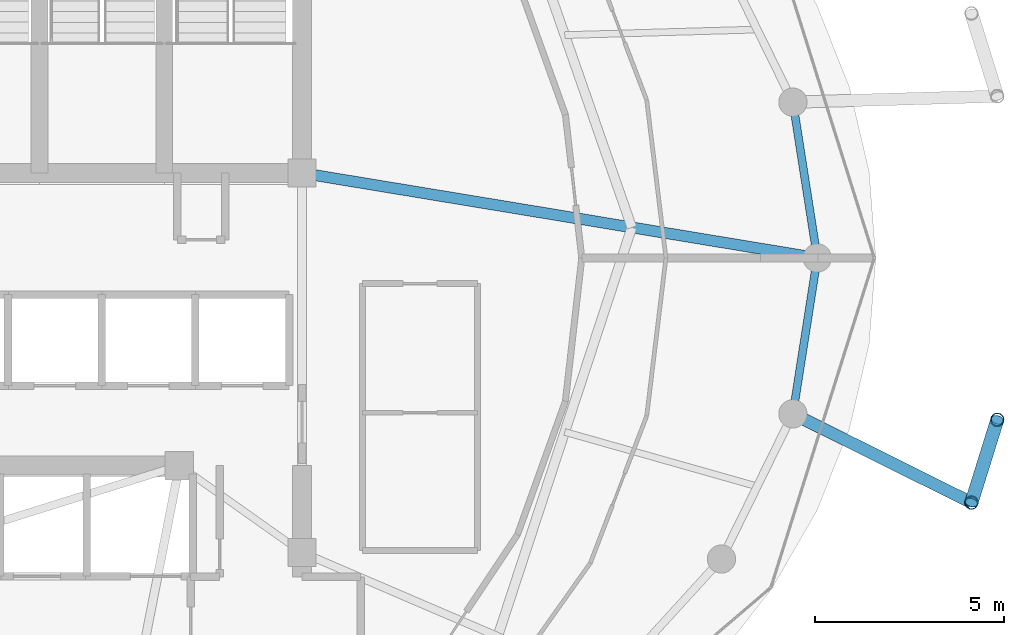
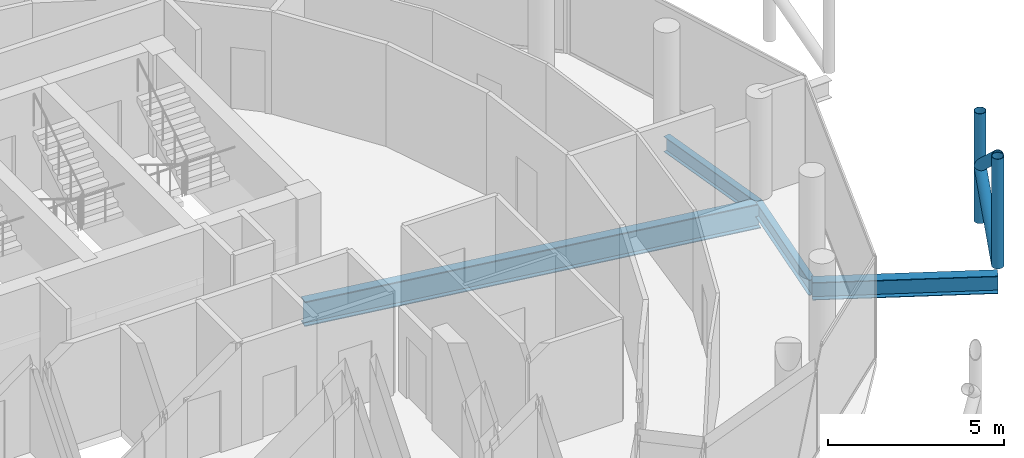
# One storey, part 11 of 24: 4 beams, 4 members.
"""IFC4 building model written with IfcOpenShell, lengths in metres."""

import ifcopenshell
import ifcopenshell.guid

model = None  # the IFC model being written
_history = None  # IfcOwnerHistory: only IFC2X3 demands one
_inside = {}  # id of a spatial element -> (the spatial element, [elements in it])
_under = {}  # id of a project, library or spatial element -> (it, [spatial elements below it])
_declared = {}  # id of a project -> (the project, [libraries it declares])
_typed = {}  # id of a type object -> (the type object, [elements of that type])
_made_of = {}  # id of a material, layer set ... -> (it, [elements and type objects made of it])


def new_model(schema):
    """Start an empty IFC model of exactly this schema.

    Asked for "IFC4X3", IfcOpenShell would pick the latest addendum, in which some entities
    have other attributes; the version numbers below select the first issue.
    IFC2X3 requires an IfcOwnerHistory on every rooted entity: one is made here for all.
    """
    global model, _history
    if schema == "IFC4X3":
        model = ifcopenshell.file(schema_version=(4, 3, 0, 0))
    else:
        model = ifcopenshell.file(schema=schema)
    _inside.clear()
    _under.clear()
    _declared.clear()
    _typed.clear()
    _made_of.clear()
    _history = None
    if model.schema == "IFC2X3":
        org = make("IfcOrganization", Name="unknown")
        user = make(
            "IfcPersonAndOrganization",
            ThePerson=make("IfcPerson", FamilyName="unknown"),
            TheOrganization=org,
        )
        app = make(
            "IfcApplication",
            ApplicationDeveloper=org,
            Version="unknown",
            ApplicationFullName="unknown",
            ApplicationIdentifier="unknown",
        )
        _history = make(
            "IfcOwnerHistory",
            OwningUser=user,
            OwningApplication=app,
            ChangeAction="ADDED",
            CreationDate=0,
        )
    return model


def make(cls, **values):
    """One entity of the class cls with the attributes given. An attribute that is None is left unset."""
    return model.create_entity(
        cls, **{name: value for name, value in values.items() if value is not None}
    )


def rooted(cls, **values):
    """An entity with a GlobalId (a new one), such as an element, a storey or a relation."""
    return make(cls, GlobalId=ifcopenshell.guid.new(), OwnerHistory=_history, **values)


def si_unit(unit_type, name, prefix=None):
    """IfcSIUnit, for example si_unit("LENGTHUNIT", "METRE", prefix="MILLI")."""
    return make("IfcSIUnit", UnitType=unit_type, Prefix=prefix, Name=name)


def assignment(units):
    """IfcUnitAssignment: the units of a project."""
    return None if units is None else make("IfcUnitAssignment", Units=units)


def point(xyz):
    """IfcCartesianPoint."""
    return None if xyz is None else make("IfcCartesianPoint", Coordinates=xyz)


def direction(xyz):
    """IfcDirection."""
    return None if xyz is None else make("IfcDirection", DirectionRatios=xyz)


def frame(location, z_axis=None, x_axis=None):
    """IfcAxis2Placement3D, a coordinate frame: its origin and axes. An axis left out is left unset."""
    return make(
        "IfcAxis2Placement3D",
        Location=point(location),
        Axis=direction(z_axis),
        RefDirection=direction(x_axis),
    )


def frame_2d(location, x_axis=None):
    """IfcAxis2Placement2D, a coordinate frame in the plane: its origin and x axis."""
    return make(
        "IfcAxis2Placement2D", Location=point(location), RefDirection=direction(x_axis)
    )


def origin():
    """The frame at (0, 0, 0) with its axes left unset."""
    return frame((0.0, 0.0, 0.0))


def origin_2d():
    """The frame at (0, 0) in the plane with its x axis left unset."""
    return frame_2d((0.0, 0.0))


def place(relative_to, where):
    """IfcLocalPlacement: puts the frame where relative to a parent placement (None: the world)."""
    return make(
        "IfcLocalPlacement", PlacementRelTo=relative_to, RelativePlacement=where
    )


def context(
    kind, dimensions, precision=None, world=None, true_north=None, identifier=None
):
    """IfcGeometricRepresentationContext, for example the 3D "Model" context."""
    return make(
        "IfcGeometricRepresentationContext",
        ContextIdentifier=identifier,
        ContextType=kind,
        CoordinateSpaceDimension=dimensions,
        Precision=precision,
        WorldCoordinateSystem=world,
        TrueNorth=true_north,
    )


def subcontext(parent, identifier, kind, view, scale=None):
    """IfcGeometricRepresentationSubContext, for example "Body" below "Model"."""
    return make(
        "IfcGeometricRepresentationSubContext",
        ContextIdentifier=identifier,
        ContextType=kind,
        ParentContext=parent,
        TargetScale=scale,
        TargetView=view,
    )


def project(units=None, contexts=None):
    """IfcProject with its units and contexts."""
    return rooted(
        "IfcProject",
        Name="project",
        RepresentationContexts=contexts,
        UnitsInContext=assignment(units),
    )


def spatial(cls, under=None, at=None, **own):
    """A site, building, storey or space (cls), placed at a placement, below another one or the project."""
    s = rooted(cls, ObjectPlacement=at, **own)
    if under is not None:
        _under.setdefault(under.id(), (under, []))[1].append(s)
    return s


def profile(cls, at=None, kind="AREA", **sizes):
    """A parametric profile (cls). Its sizes go by their IFC names, for example OverallWidth=200.0."""
    return make(cls, ProfileType=kind, Position=at, **sizes)


def hollow_circle(**sizes):
    """IfcCircleHollowProfileDef."""
    return profile("IfcCircleHollowProfileDef", **sizes)


def i_section(**sizes):
    """IfcIShapeProfileDef."""
    return profile("IfcIShapeProfileDef", **sizes)


def extrude(swept, where, along, depth):
    """IfcExtrudedAreaSolid: the profile swept, set in the frame where, extruded along a direction by depth."""
    return make(
        "IfcExtrudedAreaSolid",
        SweptArea=swept,
        Position=where,
        ExtrudedDirection=direction(along),
        Depth=depth,
    )


def shape(context_of_items, identifier, shape_type, items):
    """IfcShapeRepresentation: the items that make up one representation, for example the "Body"."""
    return make(
        "IfcShapeRepresentation",
        ContextOfItems=context_of_items,
        RepresentationIdentifier=identifier,
        RepresentationType=shape_type,
        Items=items,
    )


def material(Name=None, Category=None):
    """IfcMaterial."""
    return make("IfcMaterial", Name=Name, Category=Category)


def material_profile(
    of_material, cross_section, Name=None, Category=None, Priority=None
):
    """IfcMaterialProfile: a cross section and its material."""
    return make(
        "IfcMaterialProfile",
        Name=Name,
        Material=of_material,
        Profile=cross_section,
        Priority=Priority,
        Category=Category,
    )


def profile_set(profiles, Name=None, composite=None):
    """IfcMaterialProfileSet."""
    return make(
        "IfcMaterialProfileSet",
        Name=Name,
        MaterialProfiles=profiles,
        CompositeProfile=composite,
    )


def made_of(thing, what):
    """Note that an element or type object is made of a material, layer set ...; save() writes the relation."""
    if what is not None:
        _made_of.setdefault(what.id(), (what, []))[1].append(thing)
    return thing


def type_object(cls, material=None, **own):
    """A type object (cls), such as IfcWallType, which elements share."""
    return made_of(rooted(cls, **own), material)


def element(
    cls,
    number,
    at=None,
    inside=None,
    cuts=None,
    type_object=None,
    material=None,
    context=None,
    identifier="Body",
    shape_type=None,
    held_by="IfcProductDefinitionShape",
    body=None,
    shapes=None,
    **own,
):
    """One element of the class cls, such as IfcWall. Its Tag is "e" and its number.

    at: its placement. inside: the storey or other place that contains it. cuts: it is an
    opening in that element (IfcRelVoidsElement). A single representation is given by context,
    identifier, shape_type and body (its items); several are given by shapes. held_by: the class
    of the entity that holds the representations. save() writes the other relations.
    """
    e = rooted(cls, Tag="e%d" % number, ObjectPlacement=at, **own)
    if body is not None:
        shapes = [shape(context, identifier, shape_type, body)]
    if shapes is not None:
        e.Representation = make(held_by, Representations=shapes)
    if inside is not None:
        _inside.setdefault(inside.id(), (inside, []))[1].append(e)
    if cuts is not None:
        rooted(
            "IfcRelVoidsElement", RelatingBuildingElement=cuts, RelatedOpeningElement=e
        )
    if type_object is not None:
        _typed.setdefault(type_object.id(), (type_object, []))[1].append(e)
    return made_of(e, material)


def aggregate(whole, parts):
    """IfcRelAggregates: a whole, such as a stair, and the parts it consists of."""
    return rooted("IfcRelAggregates", RelatingObject=whole, RelatedObjects=parts)


def save(model, path):
    """Write the relations noted so far, then the file.

    IfcRelAggregates (storeys below a building ...), IfcRelContainedInSpatialStructure (elements
    in a storey), IfcRelDefinesByType, IfcRelAssociatesMaterial and IfcRelDeclares: one each for
    every whole, place, type object, material and project.
    """
    for whole, parts in _under.values():
        aggregate(whole, parts)
    for where, things in _inside.values():
        rooted(
            "IfcRelContainedInSpatialStructure",
            RelatedElements=things,
            RelatingStructure=where,
        )
    for kind, things in _typed.values():
        rooted("IfcRelDefinesByType", RelatedObjects=things, RelatingType=kind)
    for what, things in _made_of.values():
        rooted("IfcRelAssociatesMaterial", RelatedObjects=things, RelatingMaterial=what)
    for by, libraries in _declared.values():
        rooted("IfcRelDeclares", RelatingContext=by, RelatedDefinitions=libraries)
    model.write(path)


model = new_model("IFC4")

# Units and contexts
model_context = context("Model", 3, precision=1e-05, world=origin(), true_north=direction((0.0, 1.0)))
body_context = subcontext(model_context, "Body", "Model", "MODEL_VIEW")
ifc_project = project(units=[si_unit("LENGTHUNIT", "METRE"), si_unit("AREAUNIT", "SQUARE_METRE"), si_unit("VOLUMEUNIT", "CUBIC_METRE"), si_unit("PLANEANGLEUNIT", "RADIAN"), si_unit("MASSUNIT", "GRAM", prefix="KILO")], contexts=[model_context])

# Site, building, storey
site_placement = place(None, origin())
site = spatial("IfcSite", under=ifc_project, at=site_placement, CompositionType="ELEMENT")
building_placement = place(site_placement, origin())
building = spatial("IfcBuilding", under=site, at=building_placement, Name="Nuhasar Tower", CompositionType="ELEMENT")
storey_placement = place(building_placement, frame((0.0, 0.0, 270.800048828125)))
storey = spatial("IfcBuildingStorey", under=building, at=storey_placement, Name="L67", CompositionType="ELEMENT", Elevation=270.800048828125)

# Beams
ifc_material_1 = material(Name="Steel S355", Category="steel")
ifc_material_profile_1 = material_profile(ifc_material_1, i_section(OverallWidth=0.2919921875, OverallDepth=0.85888671875, WebThickness=0.01708984375, FlangeThickness=0.031005859375, at=origin_2d()), Name="W33X169")
ifc_profile_set_1 = profile_set([ifc_material_profile_1], Name="Steel S355")
beam_type_1 = type_object("IfcBeamType", Name="BM-POD-W33X169", PredefinedType="BEAM", material=ifc_profile_set_1)
beam_1_placement = place(storey_placement, frame((44.300048828125, 29.050048828125, -0.68896484375), z_axis=(0.986685215874, -0.162641583786, 0.0), x_axis=(0.162641583786, 0.986685215874, 0.0)))
element("IfcBeam", 1, at=beam_1_placement, inside=storey, type_object=beam_type_1, Name="L67 Radial Floor Girder 04", PredefinedType="BEAM", context=body_context, shape_type="SweptSolid", body=[
    extrude(i_section(OverallWidth=0.2919921875, OverallDepth=0.85888671875, WebThickness=0.01708984375, FlangeThickness=0.031005859375, at=origin_2d()), origin(), (0.0, 0.0, 1.0), 13.833984375),
])
ifc_material_profile_2 = material_profile(ifc_material_1, i_section(OverallWidth=0.2099609375, OverallDepth=0.537109375, WebThickness=0.010986328125, FlangeThickness=0.017333984375, at=origin_2d()), Name="W21X68")
ifc_profile_set_2 = profile_set([ifc_material_profile_2], Name="Steel S355")
beam_type_2 = type_object("IfcBeamType", Name="BM-RING-W21X68", PredefinedType="SPANDREL", material=ifc_profile_set_2)
for number, where, z_axis, x_axis, name in (
    (2, (57.949951171875, 26.800048828125, -0.528076171875), (-0.154612165232, 0.987975241776, 0.0), (-0.987975241776, -0.154612165232, 0.0), "L67 Perimeter Ring Spandrel 01"),
    (3, (57.303955078125, 22.672119140625, -0.528076171875), (0.154612165232, 0.987975241776, 0.0), (-0.987975241776, 0.154612165232, 0.0), "L67 Perimeter Ring Spandrel 24"),
):
    element("IfcBeam", number, at=place(storey_placement, frame(where, z_axis=z_axis, x_axis=x_axis)), inside=storey, type_object=beam_type_2, Name=name, PredefinedType="SPANDREL", context=body_context, shape_type="SweptSolid", body=[
        extrude(i_section(OverallWidth=0.2099609375, OverallDepth=0.537109375, WebThickness=0.010986328125, FlangeThickness=0.017333984375, at=origin_2d()), origin(), (0.0, 0.0, 1.0), 4.17822265625),
    ])
ifc_material_profile_3 = material_profile(ifc_material_1, i_section(OverallWidth=0.323974609375, OverallDepth=0.611083984375, WebThickness=0.0126953125, FlangeThickness=0.01904296875, at=origin_2d()), Name="W24X104")
ifc_profile_set_3 = profile_set([ifc_material_profile_3], Name="Steel S355")
beam_type_3 = type_object("IfcBeamType", Name="BM-TIE-W24X104", PredefinedType="BEAM", material=ifc_profile_set_3)
beam_2_placement = place(storey_placement, frame((57.303955078125, 22.672119140625, -0.56494140625), z_axis=(0.895294451274, -0.445474853969, 0.0), x_axis=(0.445474853969, 0.895294451274, 0.0)))
element("IfcBeam", 4, at=beam_2_placement, inside=storey, type_object=beam_type_3, Name="L67 Exoskeleton Node Tie Beam 12", PredefinedType="BEAM", context=body_context, shape_type="SweptSolid", body=[
    extrude(i_section(OverallWidth=0.323974609375, OverallDepth=0.611083984375, WebThickness=0.0126953125, FlangeThickness=0.01904296875, at=origin_2d()), origin(), (0.0, 0.0, 1.0), 5.281982421875),
])

# Members
ifc_material_2 = material(Name="Steel S460", Category="steel")
ifc_material_profile_4 = material_profile(ifc_material_2, hollow_circle(Radius=0.177734375, WallThickness=0.015869140625, at=origin_2d()), Name="HSS355.6X15.9")
ifc_profile_set_4 = profile_set([ifc_material_profile_4], Name="Steel S460")
member_type = type_object("IfcMemberType", Name="EXO-BRONZE-356", PredefinedType="BRACE", material=ifc_profile_set_4)
for number, where, z_axis, x_axis, name in (
    (5, (62.032958984375, 20.319091796875, 0.0), (0.0, 0.0, 1.0), (1.0, 0.0, 0.0), "L67 Exoskeleton Chord Column EC-12A"),
    (6, (62.718017578125, 22.513916015625, 0.0), (0.0, 0.0, 1.0), (1.0, 0.0, 0.0), "L67 Exoskeleton Chord Column EC-12B"),
):
    element("IfcMember", number, at=place(storey_placement, frame(where, z_axis=z_axis, x_axis=x_axis)), inside=storey, type_object=member_type, Name=name, PredefinedType="BRACE", context=body_context, shape_type="SweptSolid", body=[
        extrude(hollow_circle(Radius=0.177734375, WallThickness=0.015869140625, at=origin_2d()), origin(), (0.0, 0.0, 1.0), 3.800048828125),
    ])
member_1_placement = place(storey_placement, frame((62.032958984375, 20.319091796875, 0.0), z_axis=(0.229681361446, 0.735864376122, 0.636985158507), x_axis=(-0.954581948223, 0.297948492404, 0.0)))
element("IfcMember", 7, at=member_1_placement, inside=storey, type_object=member_type, Name="L67 Bronze Diagrid Brace W1-12", PredefinedType="BRACE", context=body_context, shape_type="SweptSolid", body=[
    extrude(hollow_circle(Radius=0.177734375, WallThickness=0.015869140625, at=origin_2d()), origin(), (0.0, 0.0, 1.0), 2.982666015625),
])
member_2_placement = place(storey_placement, frame((62.718017578125, 22.513916015625, 1.89990234375), z_axis=(-0.229669386127, -0.73582600901, 0.637033796232), x_axis=(0.954581948223, -0.297948492404, 0.0)))
element("IfcMember", 8, at=member_2_placement, inside=storey, type_object=member_type, Name="L67 Bronze Diagrid Brace W2-12", PredefinedType="BRACE", context=body_context, shape_type="SweptSolid", body=[
    extrude(hollow_circle(Radius=0.177734375, WallThickness=0.015869140625, at=origin_2d()), origin(), (0.0, 0.0, 1.0), 2.98291015625),
])

save(model, "model.ifc")
